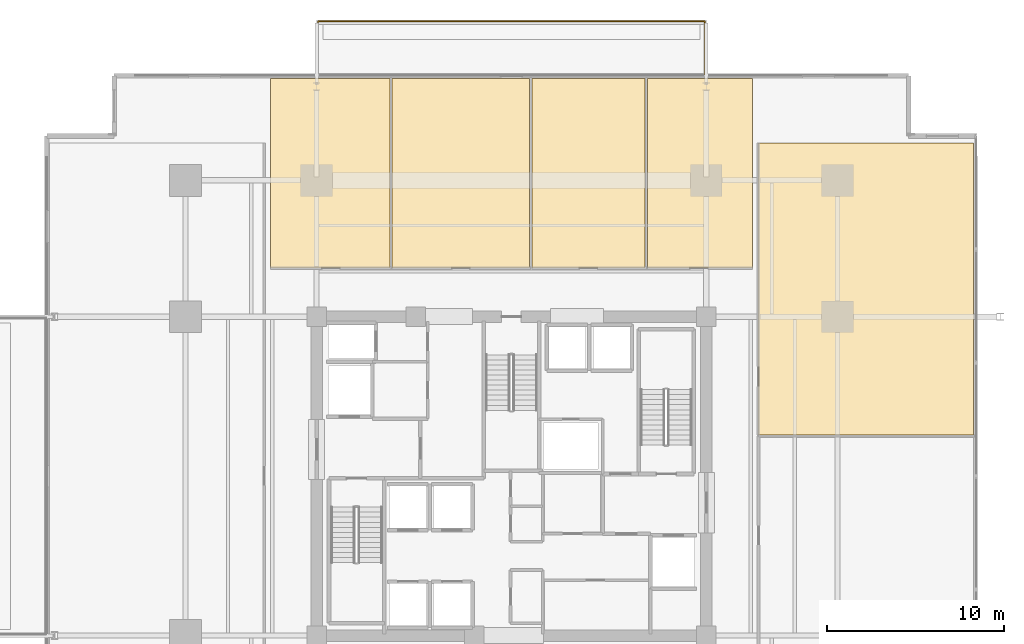
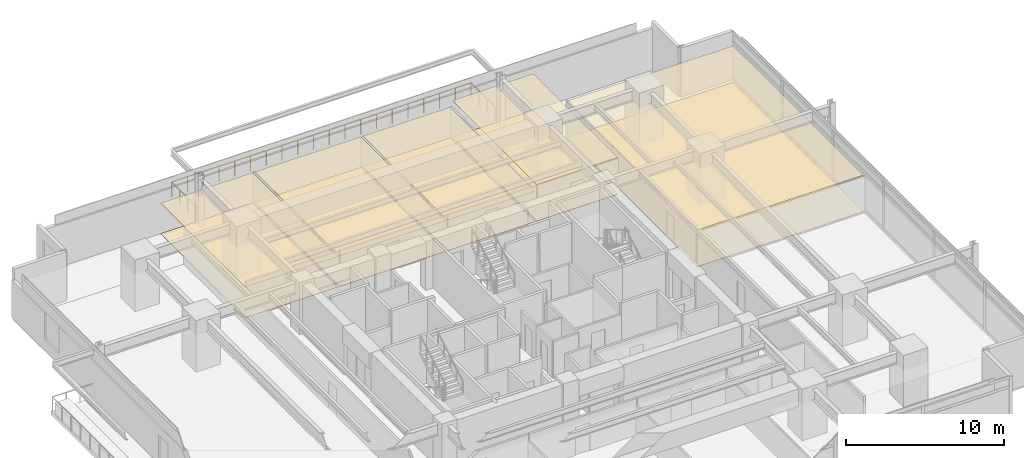
# One storey, part 22 of 22: 10 coverings, 1 railing.
"""IFC4 building model written with IfcOpenShell, lengths in metres."""

from ifc_helpers import new_model, si_unit, direction, frame, origin, origin_2d, place, context, subcontext, project, spatial, polyline, circle, outline, extrude, material, layer, layer_set, type_object, element, save


model = new_model("IFC4")

# Units and contexts
model_context = context("Model", 3, precision=1e-05, world=origin(), true_north=direction((0.0, 1.0)))
body_context = subcontext(model_context, "Body", "Model", "MODEL_VIEW")
ifc_project = project(units=[si_unit("LENGTHUNIT", "METRE"), si_unit("AREAUNIT", "SQUARE_METRE"), si_unit("VOLUMEUNIT", "CUBIC_METRE"), si_unit("PLANEANGLEUNIT", "RADIAN"), si_unit("MASSUNIT", "GRAM", prefix="KILO")], contexts=[model_context])

# Site, building, storey
site_placement = place(None, origin())
site = spatial("IfcSite", under=ifc_project, at=site_placement, CompositionType="ELEMENT")
building_placement = place(site_placement, origin())
building = spatial("IfcBuilding", under=site, at=building_placement, Name="Kovane Verandah Tower", CompositionType="ELEMENT")
storey_placement = place(building_placement, frame((0.0, 0.0, 79.60009765625)))
storey = spatial("IfcBuildingStorey", under=building, at=storey_placement, Name="L18", CompositionType="ELEMENT", Elevation=79.60009765625)

# Coverings
ifc_material_1 = material(Name="Perforated Acoustic Mineral-Fibre Ceiling Tile", Category="gypsum")
ifc_layer_1 = layer(ifc_material_1, 0.02490234375)
ifc_layer_set_1 = layer_set([ifc_layer_1], Name="Perforated Acoustic Mineral-Fibre Ceiling Tile")
covering_type_1 = type_object("IfcCoveringType", Name="CV-CEIL-25", PredefinedType="CEILING", material=ifc_layer_set_1)
covering_1_placement = place(storey_placement, frame((0.0, 0.0, 2.364990234375)))
element("IfcCovering", 1, at=covering_1_placement, inside=storey, type_object=covering_type_1, Name="L18 Focus Studio N1 Acoustic Ceiling", PredefinedType="CEILING", context=body_context, shape_type="SweptSolid", body=[
    extrude(outline(polyline([(26.39990234375, 39.25), (33.1298828125, 39.25), (33.1298828125, 49.9501953125), (26.39990234375, 49.9501953125), (26.39990234375, 39.25)])), origin(), (0.0, 0.0, 1.0), 0.02490234375),
])
covering_2_placement = place(storey_placement, frame((0.0, 0.0, 2.364990234375)))
element("IfcCovering", 2, at=covering_2_placement, inside=storey, type_object=covering_type_1, Name="L18 Breakout Pantry N2 Acoustic Ceiling", PredefinedType="CEILING", context=body_context, shape_type="SweptSolid", body=[
    extrude(outline(polyline([(33.27001953125, 39.25), (41.01806640625, 39.25), (41.01806640625, 49.9501953125), (33.27001953125, 49.9501953125), (33.27001953125, 39.25)])), origin(), (0.0, 0.0, 1.0), 0.02490234375),
])
covering_3_placement = place(storey_placement, frame((0.0, 0.0, 2.364990234375)))
element("IfcCovering", 3, at=covering_3_placement, inside=storey, type_object=covering_type_1, Name="L18 Collaboration Hub N3 Acoustic Ceiling", PredefinedType="CEILING", context=body_context, shape_type="SweptSolid", body=[
    extrude(outline(polyline([(41.157958984375, 39.25), (47.5458984375, 39.25), (47.5458984375, 49.9501953125), (41.157958984375, 49.9501953125), (41.157958984375, 39.25)])), origin(), (0.0, 0.0, 1.0), 0.02490234375),
])
covering_4_placement = place(storey_placement, frame((0.0, 0.0, 2.824951171875)))
element("IfcCovering", 4, at=covering_4_placement, inside=storey, type_object=covering_type_1, Name="L18 Document and Print Room N4 Acoustic Ceiling", PredefinedType="CEILING", context=body_context, shape_type="SweptSolid", body=[
    extrude(outline(polyline([(47.68603515625, 39.25), (53.60009765625, 39.25), (53.60009765625, 49.9501953125), (47.68603515625, 49.9501953125), (47.68603515625, 39.25)])), origin(), (0.0, 0.0, 1.0), 0.02490234375),
])
covering_5_placement = place(storey_placement, frame((0.0, 0.0, 2.824951171875)))
element("IfcCovering", 5, at=covering_5_placement, inside=storey, type_object=covering_type_1, Name="L18 Collaboration Hub E2 Acoustic Ceiling", PredefinedType="CEILING", context=body_context, shape_type="SweptSolid", body=[
    extrude(outline(polyline([(53.949951171875, 29.825927734375), (66.07861328125, 29.825927734375), (66.07861328125, 46.300048828125), (53.949951171875, 46.300048828125), (53.949951171875, 29.825927734375)])), origin(), (0.0, 0.0, 1.0), 0.02490234375),
])
ifc_material_2 = material(Name="Polished Terrazzo and Raised-Access Carpet Tile Finish", Category="concrete")
ifc_layer_2 = layer(ifc_material_2, 0.030029296875)
ifc_layer_set_2 = layer_set([ifc_layer_2], Name="Polished Terrazzo and Raised-Access Carpet Tile Finish")
covering_type_2 = type_object("IfcCoveringType", Name="CV-FLOR-30", PredefinedType="FLOORING", material=ifc_layer_set_2)
covering_6_placement = place(storey_placement, origin())
element("IfcCovering", 6, at=covering_6_placement, inside=storey, type_object=covering_type_2, Name="L18 Focus Studio N1 Floor Finish", PredefinedType="FLOORING", context=body_context, shape_type="SweptSolid", body=[
    extrude(outline(polyline([(26.39990234375, 39.25), (33.1298828125, 39.25), (33.1298828125, 49.9501953125), (26.39990234375, 49.9501953125), (26.39990234375, 39.25)])), origin(), (0.0, 0.0, 1.0), 0.02978515625),
])
covering_7_placement = place(storey_placement, origin())
element("IfcCovering", 7, at=covering_7_placement, inside=storey, type_object=covering_type_2, Name="L18 Breakout Pantry N2 Floor Finish", PredefinedType="FLOORING", context=body_context, shape_type="SweptSolid", body=[
    extrude(outline(polyline([(33.27001953125, 39.25), (41.01806640625, 39.25), (41.01806640625, 49.9501953125), (33.27001953125, 49.9501953125), (33.27001953125, 39.25)])), origin(), (0.0, 0.0, 1.0), 0.02978515625),
])
covering_8_placement = place(storey_placement, origin())
element("IfcCovering", 8, at=covering_8_placement, inside=storey, type_object=covering_type_2, Name="L18 Collaboration Hub N3 Floor Finish", PredefinedType="FLOORING", context=body_context, shape_type="SweptSolid", body=[
    extrude(outline(polyline([(41.157958984375, 39.25), (47.5458984375, 39.25), (47.5458984375, 49.9501953125), (41.157958984375, 49.9501953125), (41.157958984375, 39.25)])), origin(), (0.0, 0.0, 1.0), 0.02978515625),
])
covering_9_placement = place(storey_placement, origin())
element("IfcCovering", 9, at=covering_9_placement, inside=storey, type_object=covering_type_2, Name="L18 Document and Print Room N4 Floor Finish", PredefinedType="FLOORING", context=body_context, shape_type="SweptSolid", body=[
    extrude(outline(polyline([(47.68603515625, 39.25), (53.60009765625, 39.25), (53.60009765625, 49.9501953125), (47.68603515625, 49.9501953125), (47.68603515625, 39.25)])), origin(), (0.0, 0.0, 1.0), 0.02978515625),
])
covering_10_placement = place(storey_placement, origin())
element("IfcCovering", 10, at=covering_10_placement, inside=storey, type_object=covering_type_2, Name="L18 Collaboration Hub E2 Floor Finish", PredefinedType="FLOORING", context=body_context, shape_type="SweptSolid", body=[
    extrude(outline(polyline([(53.949951171875, 29.825927734375), (66.07861328125, 29.825927734375), (66.07861328125, 46.300048828125), (53.949951171875, 46.300048828125), (53.949951171875, 29.825927734375)])), origin(), (0.0, 0.0, 1.0), 0.02978515625),
])

# Railing
ifc_material_3 = material(Name="Laminated Glass and Pale-Champagne Stainless Balustrade", Category="glass")
railing_type = type_object("IfcRailingType", Name="RL-BAL-1150", PredefinedType="BALUSTRADE", material=ifc_material_3)
railing_placement = place(storey_placement, frame((29.080078125, 50.150146484375, 0.0)))
element("IfcRailing", 11, at=railing_placement, inside=storey, type_object=railing_type, Name="L18 N Verandah Glass Balustrade", PredefinedType="BALUSTRADE", context=body_context, shape_type="SweptSolid", body=[
    extrude(circle(Radius=0.02392578125, at=origin_2d()), frame((0.0, 0.0, 1.1259765625), z_axis=(0.0, 1.0, 0.0), x_axis=(-1.0, 0.0, 0.0)), (0.0, 0.0, 1.0), 3.02001953125),
    extrude(circle(Radius=0.02392578125, at=origin_2d()), frame((0.0, 3.02001953125, 1.1259765625), z_axis=(1.0, 0.0, 0.0), x_axis=(0.0, 1.0, 0.0)), (0.0, 0.0, 1.0), 21.83984375),
    extrude(circle(Radius=0.02392578125, at=origin_2d()), frame((21.83984375, 3.02001953125, 1.1259765625), z_axis=(0.0, -1.0, 0.0), x_axis=(1.0, 0.0, 0.0)), (0.0, 0.0, 1.0), 3.02001953125),
    extrude(circle(Radius=0.02099609375, at=origin_2d()), origin(), (0.0, 0.0, 1.0), 1.101806640625),
    extrude(circle(Radius=0.02099609375, at=origin_2d()), frame((0.0, 1.006591796875, 0.0)), (0.0, 0.0, 1.0), 1.101806640625),
    extrude(circle(Radius=0.02099609375, at=origin_2d()), frame((0.0, 2.013427734375, 0.0)), (0.0, 0.0, 1.0), 1.101806640625),
    extrude(circle(Radius=0.02099609375, at=origin_2d()), frame((0.0, 3.02001953125, 0.0)), (0.0, 0.0, 1.0), 1.101806640625),
    extrude(circle(Radius=0.02099609375, at=origin_2d()), frame((1.1494140625, 3.02001953125, 0.0)), (0.0, 0.0, 1.0), 1.101806640625),
    extrude(circle(Radius=0.02099609375, at=origin_2d()), frame((2.298828125, 3.02001953125, 0.0)), (0.0, 0.0, 1.0), 1.101806640625),
    extrude(circle(Radius=0.02099609375, at=origin_2d()), frame((3.448486328125, 3.02001953125, 0.0)), (0.0, 0.0, 1.0), 1.101806640625),
    extrude(circle(Radius=0.02099609375, at=origin_2d()), frame((4.597900390625, 3.02001953125, 0.0)), (0.0, 0.0, 1.0), 1.101806640625),
    extrude(circle(Radius=0.02099609375, at=origin_2d()), frame((5.747314453125, 3.02001953125, 0.0)), (0.0, 0.0, 1.0), 1.101806640625),
    extrude(circle(Radius=0.02099609375, at=origin_2d()), frame((6.896728515625, 3.02001953125, 0.0)), (0.0, 0.0, 1.0), 1.101806640625),
    extrude(circle(Radius=0.02099609375, at=origin_2d()), frame((8.046142578125, 3.02001953125, 0.0)), (0.0, 0.0, 1.0), 1.101806640625),
    extrude(circle(Radius=0.02099609375, at=origin_2d()), frame((9.19580078125, 3.02001953125, 0.0)), (0.0, 0.0, 1.0), 1.101806640625),
    extrude(circle(Radius=0.02099609375, at=origin_2d()), frame((10.34521484375, 3.02001953125, 0.0)), (0.0, 0.0, 1.0), 1.101806640625),
    extrude(circle(Radius=0.02099609375, at=origin_2d()), frame((11.49462890625, 3.02001953125, 0.0)), (0.0, 0.0, 1.0), 1.101806640625),
    extrude(circle(Radius=0.02099609375, at=origin_2d()), frame((12.64404296875, 3.02001953125, 0.0)), (0.0, 0.0, 1.0), 1.101806640625),
    extrude(circle(Radius=0.02099609375, at=origin_2d()), frame((13.793701171875, 3.02001953125, 0.0)), (0.0, 0.0, 1.0), 1.101806640625),
    extrude(circle(Radius=0.02099609375, at=origin_2d()), frame((14.943115234375, 3.02001953125, 0.0)), (0.0, 0.0, 1.0), 1.101806640625),
    extrude(circle(Radius=0.02099609375, at=origin_2d()), frame((16.092529296875, 3.02001953125, 0.0)), (0.0, 0.0, 1.0), 1.101806640625),
    extrude(circle(Radius=0.02099609375, at=origin_2d()), frame((17.241943359375, 3.02001953125, 0.0)), (0.0, 0.0, 1.0), 1.101806640625),
    extrude(circle(Radius=0.02099609375, at=origin_2d()), frame((18.391357421875, 3.02001953125, 0.0)), (0.0, 0.0, 1.0), 1.101806640625),
    extrude(circle(Radius=0.02099609375, at=origin_2d()), frame((19.541015625, 3.02001953125, 0.0)), (0.0, 0.0, 1.0), 1.101806640625),
    extrude(circle(Radius=0.02099609375, at=origin_2d()), frame((20.6904296875, 3.02001953125, 0.0)), (0.0, 0.0, 1.0), 1.101806640625),
    extrude(circle(Radius=0.02099609375, at=origin_2d()), frame((21.83984375, 3.02001953125, 0.0)), (0.0, 0.0, 1.0), 1.101806640625),
    extrude(circle(Radius=0.02099609375, at=origin_2d()), frame((21.83984375, 2.013427734375, 0.0)), (0.0, 0.0, 1.0), 1.101806640625),
    extrude(circle(Radius=0.02099609375, at=origin_2d()), frame((21.83984375, 1.006591796875, 0.0)), (0.0, 0.0, 1.0), 1.101806640625),
    extrude(circle(Radius=0.02099609375, at=origin_2d()), frame((21.83984375, 0.0, 0.0)), (0.0, 0.0, 1.0), 1.101806640625),
])

save(model, "model.ifc")
